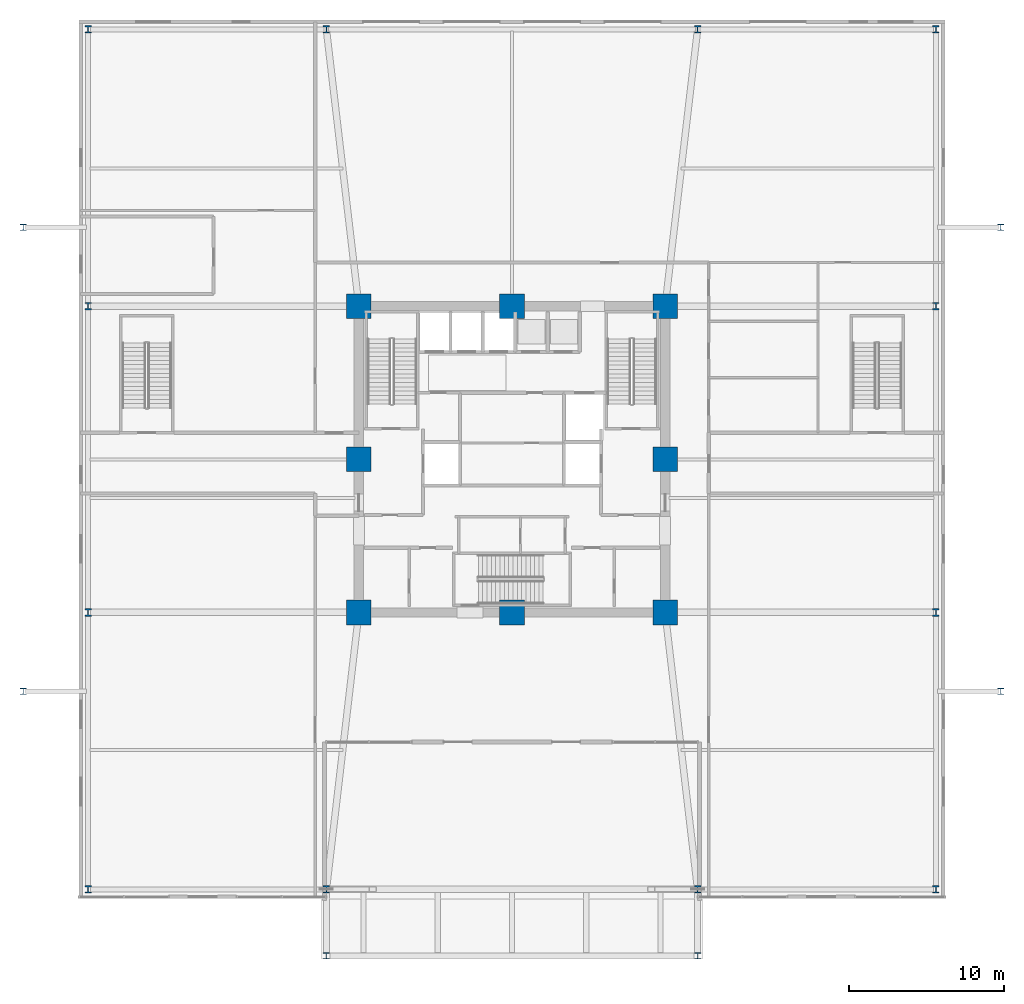
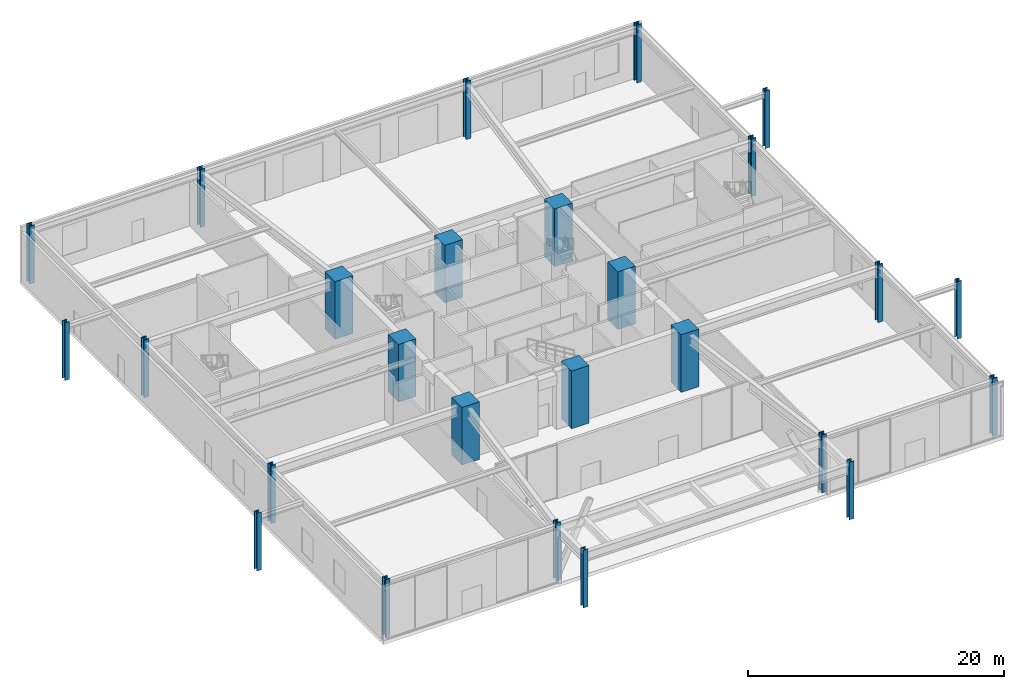
# One storey, part 1 of 24: 26 columns.
"""IFC4 building model written with IfcOpenShell, lengths in metres."""

import ifcopenshell
import ifcopenshell.guid

model = None  # the IFC model being written
_history = None  # IfcOwnerHistory: only IFC2X3 demands one
_inside = {}  # id of a spatial element -> (the spatial element, [elements in it])
_under = {}  # id of a project, library or spatial element -> (it, [spatial elements below it])
_declared = {}  # id of a project -> (the project, [libraries it declares])
_typed = {}  # id of a type object -> (the type object, [elements of that type])
_made_of = {}  # id of a material, layer set ... -> (it, [elements and type objects made of it])


def new_model(schema):
    """Start an empty IFC model of exactly this schema.

    Asked for "IFC4X3", IfcOpenShell would pick the latest addendum, in which some entities
    have other attributes; the version numbers below select the first issue.
    IFC2X3 requires an IfcOwnerHistory on every rooted entity: one is made here for all.
    """
    global model, _history
    if schema == "IFC4X3":
        model = ifcopenshell.file(schema_version=(4, 3, 0, 0))
    else:
        model = ifcopenshell.file(schema=schema)
    _inside.clear()
    _under.clear()
    _declared.clear()
    _typed.clear()
    _made_of.clear()
    _history = None
    if model.schema == "IFC2X3":
        org = make("IfcOrganization", Name="unknown")
        user = make(
            "IfcPersonAndOrganization",
            ThePerson=make("IfcPerson", FamilyName="unknown"),
            TheOrganization=org,
        )
        app = make(
            "IfcApplication",
            ApplicationDeveloper=org,
            Version="unknown",
            ApplicationFullName="unknown",
            ApplicationIdentifier="unknown",
        )
        _history = make(
            "IfcOwnerHistory",
            OwningUser=user,
            OwningApplication=app,
            ChangeAction="ADDED",
            CreationDate=0,
        )
    return model


def make(cls, **values):
    """One entity of the class cls with the attributes given. An attribute that is None is left unset."""
    return model.create_entity(
        cls, **{name: value for name, value in values.items() if value is not None}
    )


def rooted(cls, **values):
    """An entity with a GlobalId (a new one), such as an element, a storey or a relation."""
    return make(cls, GlobalId=ifcopenshell.guid.new(), OwnerHistory=_history, **values)


def si_unit(unit_type, name, prefix=None):
    """IfcSIUnit, for example si_unit("LENGTHUNIT", "METRE", prefix="MILLI")."""
    return make("IfcSIUnit", UnitType=unit_type, Prefix=prefix, Name=name)


def assignment(units):
    """IfcUnitAssignment: the units of a project."""
    return None if units is None else make("IfcUnitAssignment", Units=units)


def point(xyz):
    """IfcCartesianPoint."""
    return None if xyz is None else make("IfcCartesianPoint", Coordinates=xyz)


def direction(xyz):
    """IfcDirection."""
    return None if xyz is None else make("IfcDirection", DirectionRatios=xyz)


def frame(location, z_axis=None, x_axis=None):
    """IfcAxis2Placement3D, a coordinate frame: its origin and axes. An axis left out is left unset."""
    return make(
        "IfcAxis2Placement3D",
        Location=point(location),
        Axis=direction(z_axis),
        RefDirection=direction(x_axis),
    )


def frame_2d(location, x_axis=None):
    """IfcAxis2Placement2D, a coordinate frame in the plane: its origin and x axis."""
    return make(
        "IfcAxis2Placement2D", Location=point(location), RefDirection=direction(x_axis)
    )


def origin():
    """The frame at (0, 0, 0) with its axes left unset."""
    return frame((0.0, 0.0, 0.0))


def origin_2d():
    """The frame at (0, 0) in the plane with its x axis left unset."""
    return frame_2d((0.0, 0.0))


def place(relative_to, where):
    """IfcLocalPlacement: puts the frame where relative to a parent placement (None: the world)."""
    return make(
        "IfcLocalPlacement", PlacementRelTo=relative_to, RelativePlacement=where
    )


def context(
    kind, dimensions, precision=None, world=None, true_north=None, identifier=None
):
    """IfcGeometricRepresentationContext, for example the 3D "Model" context."""
    return make(
        "IfcGeometricRepresentationContext",
        ContextIdentifier=identifier,
        ContextType=kind,
        CoordinateSpaceDimension=dimensions,
        Precision=precision,
        WorldCoordinateSystem=world,
        TrueNorth=true_north,
    )


def subcontext(parent, identifier, kind, view, scale=None):
    """IfcGeometricRepresentationSubContext, for example "Body" below "Model"."""
    return make(
        "IfcGeometricRepresentationSubContext",
        ContextIdentifier=identifier,
        ContextType=kind,
        ParentContext=parent,
        TargetScale=scale,
        TargetView=view,
    )


def project(units=None, contexts=None):
    """IfcProject with its units and contexts."""
    return rooted(
        "IfcProject",
        Name="project",
        RepresentationContexts=contexts,
        UnitsInContext=assignment(units),
    )


def spatial(cls, under=None, at=None, **own):
    """A site, building, storey or space (cls), placed at a placement, below another one or the project."""
    s = rooted(cls, ObjectPlacement=at, **own)
    if under is not None:
        _under.setdefault(under.id(), (under, []))[1].append(s)
    return s


def profile(cls, at=None, kind="AREA", **sizes):
    """A parametric profile (cls). Its sizes go by their IFC names, for example OverallWidth=200.0."""
    return make(cls, ProfileType=kind, Position=at, **sizes)


def rectangle(**sizes):
    """IfcRectangleProfileDef."""
    return profile("IfcRectangleProfileDef", **sizes)


def i_section(**sizes):
    """IfcIShapeProfileDef."""
    return profile("IfcIShapeProfileDef", **sizes)


def extrude(swept, where, along, depth):
    """IfcExtrudedAreaSolid: the profile swept, set in the frame where, extruded along a direction by depth."""
    return make(
        "IfcExtrudedAreaSolid",
        SweptArea=swept,
        Position=where,
        ExtrudedDirection=direction(along),
        Depth=depth,
    )


def shape(context_of_items, identifier, shape_type, items):
    """IfcShapeRepresentation: the items that make up one representation, for example the "Body"."""
    return make(
        "IfcShapeRepresentation",
        ContextOfItems=context_of_items,
        RepresentationIdentifier=identifier,
        RepresentationType=shape_type,
        Items=items,
    )


def material(Name=None, Category=None):
    """IfcMaterial."""
    return make("IfcMaterial", Name=Name, Category=Category)


def material_profile(
    of_material, cross_section, Name=None, Category=None, Priority=None
):
    """IfcMaterialProfile: a cross section and its material."""
    return make(
        "IfcMaterialProfile",
        Name=Name,
        Material=of_material,
        Profile=cross_section,
        Priority=Priority,
        Category=Category,
    )


def profile_set(profiles, Name=None, composite=None):
    """IfcMaterialProfileSet."""
    return make(
        "IfcMaterialProfileSet",
        Name=Name,
        MaterialProfiles=profiles,
        CompositeProfile=composite,
    )


def made_of(thing, what):
    """Note that an element or type object is made of a material, layer set ...; save() writes the relation."""
    if what is not None:
        _made_of.setdefault(what.id(), (what, []))[1].append(thing)
    return thing


def type_object(cls, material=None, **own):
    """A type object (cls), such as IfcWallType, which elements share."""
    return made_of(rooted(cls, **own), material)


def element(
    cls,
    number,
    at=None,
    inside=None,
    cuts=None,
    type_object=None,
    material=None,
    context=None,
    identifier="Body",
    shape_type=None,
    held_by="IfcProductDefinitionShape",
    body=None,
    shapes=None,
    **own,
):
    """One element of the class cls, such as IfcWall. Its Tag is "e" and its number.

    at: its placement. inside: the storey or other place that contains it. cuts: it is an
    opening in that element (IfcRelVoidsElement). A single representation is given by context,
    identifier, shape_type and body (its items); several are given by shapes. held_by: the class
    of the entity that holds the representations. save() writes the other relations.
    """
    e = rooted(cls, Tag="e%d" % number, ObjectPlacement=at, **own)
    if body is not None:
        shapes = [shape(context, identifier, shape_type, body)]
    if shapes is not None:
        e.Representation = make(held_by, Representations=shapes)
    if inside is not None:
        _inside.setdefault(inside.id(), (inside, []))[1].append(e)
    if cuts is not None:
        rooted(
            "IfcRelVoidsElement", RelatingBuildingElement=cuts, RelatedOpeningElement=e
        )
    if type_object is not None:
        _typed.setdefault(type_object.id(), (type_object, []))[1].append(e)
    return made_of(e, material)


def aggregate(whole, parts):
    """IfcRelAggregates: a whole, such as a stair, and the parts it consists of."""
    return rooted("IfcRelAggregates", RelatingObject=whole, RelatedObjects=parts)


def save(model, path):
    """Write the relations noted so far, then the file.

    IfcRelAggregates (storeys below a building ...), IfcRelContainedInSpatialStructure (elements
    in a storey), IfcRelDefinesByType, IfcRelAssociatesMaterial and IfcRelDeclares: one each for
    every whole, place, type object, material and project.
    """
    for whole, parts in _under.values():
        aggregate(whole, parts)
    for where, things in _inside.values():
        rooted(
            "IfcRelContainedInSpatialStructure",
            RelatedElements=things,
            RelatingStructure=where,
        )
    for kind, things in _typed.values():
        rooted("IfcRelDefinesByType", RelatedObjects=things, RelatingType=kind)
    for what, things in _made_of.values():
        rooted("IfcRelAssociatesMaterial", RelatedObjects=things, RelatingMaterial=what)
    for by, libraries in _declared.values():
        rooted("IfcRelDeclares", RelatingContext=by, RelatedDefinitions=libraries)
    model.write(path)


model = new_model("IFC4")

# Units and contexts
model_context = context("Model", 3, precision=1e-05, world=origin(), true_north=direction((0.0, 1.0)))
body_context = subcontext(model_context, "Body", "Model", "MODEL_VIEW")
ifc_project = project(units=[si_unit("LENGTHUNIT", "METRE"), si_unit("AREAUNIT", "SQUARE_METRE"), si_unit("VOLUMEUNIT", "CUBIC_METRE"), si_unit("PLANEANGLEUNIT", "RADIAN"), si_unit("MASSUNIT", "GRAM", prefix="KILO")], contexts=[model_context])

# Site, building, storey
site_placement = place(None, origin())
site = spatial("IfcSite", under=ifc_project, at=site_placement, CompositionType="ELEMENT")
building_placement = place(site_placement, origin())
building = spatial("IfcBuilding", under=site, at=building_placement, Name="Kolvaren Belvedere", CompositionType="ELEMENT")
storey_placement = place(building_placement, origin())
storey = spatial("IfcBuildingStorey", under=building, at=storey_placement, Name="L01", CompositionType="ELEMENT", Elevation=0.0)

# Columns
ifc_material_1 = material(Name="Concrete C60/75", Category="concrete")
ifc_material_profile_1 = material_profile(ifc_material_1, rectangle(XDim=1.60009765625, YDim=1.60009765625, at=origin_2d()), Name="RC 1600X1600")
ifc_profile_set_1 = profile_set([ifc_material_profile_1], Name="Concrete C60/75")
column_type_1 = type_object("IfcColumnType", Name="COL-RC-1600", PredefinedType="COLUMN", material=ifc_profile_set_1)
for number, where, z_axis, x_axis, name in (
    (1, (-9.89990234375, -9.89990234375, 0.0), (0.0, 0.0, 1.0), (1.0, 0.0, 0.0), "L01 Core Column CC1"),
    (2, (9.89990234375, -9.89990234375, 0.0), (0.0, 0.0, 1.0), (1.0, 0.0, 0.0), "L01 Core Column CC2"),
    (3, (9.89990234375, 9.89990234375, 0.0), (0.0, 0.0, 1.0), (1.0, 0.0, 0.0), "L01 Core Column CC3"),
    (4, (-9.89990234375, 9.89990234375, 0.0), (0.0, 0.0, 1.0), (1.0, 0.0, 0.0), "L01 Core Column CC4"),
    (5, (0.0, -9.89990234375, 0.0), (0.0, 0.0, 1.0), (1.0, 0.0, 0.0), "L01 Core Column CM1"),
    (6, (9.89990234375, 0.0, 0.0), (0.0, 0.0, 1.0), (1.0, 0.0, 0.0), "L01 Core Column CM2"),
    (7, (0.0, 9.89990234375, 0.0), (0.0, 0.0, 1.0), (1.0, 0.0, 0.0), "L01 Core Column CM3"),
    (8, (-9.89990234375, 0.0, 0.0), (0.0, 0.0, 1.0), (1.0, 0.0, 0.0), "L01 Core Column CM4"),
):
    element("IfcColumn", number, at=place(storey_placement, frame(where, z_axis=z_axis, x_axis=x_axis)), inside=storey, type_object=column_type_1, Name=name, PredefinedType="COLUMN", context=body_context, shape_type="SweptSolid", body=[
        extrude(rectangle(XDim=1.60009765625, YDim=1.60009765625, at=origin_2d()), origin(), (0.0, 0.0, 1.0), 5.5),
    ])
ifc_material_2 = material(Name="Structural steel ASTM A992 Grade 50", Category="steel")
ifc_material_profile_2 = material_profile(ifc_material_2, i_section(OverallWidth=0.412109375, OverallDepth=0.43505859375, WebThickness=0.035888671875, FlangeThickness=0.057373046875, FilletRadius=0.02490234375, at=origin_2d()), Name="W14X311")
ifc_profile_set_2 = profile_set([ifc_material_profile_2], Name="Structural steel ASTM A992 Grade 50")
column_type_2 = type_object("IfcColumnType", Name="COL-ST-W14X311", PredefinedType="COLUMN", material=ifc_profile_set_2)
for number, where, z_axis, x_axis, name in (
    (9, (-31.60009765625, 15.0, 0.0), (0.0, 0.0, 1.0), (1.0, 0.0, 0.0), "L01 Forecourt Canopy Column PAD-NW"),
    (10, (-31.60009765625, -15.0, 0.0), (0.0, 0.0, 1.0), (1.0, 0.0, 0.0), "L01 Forecourt Canopy Column PAD-SW"),
    (11, (31.60009765625, 15.0, 0.0), (0.0, 0.0, 1.0), (1.0, 0.0, 0.0), "L01 Forecourt Canopy Column PAD-NE"),
    (12, (31.60009765625, -15.0, 0.0), (0.0, 0.0, 1.0), (1.0, 0.0, 0.0), "L01 Forecourt Canopy Column PAD-SE"),
    (13, (-12.0, -32.10009765625, 0.0), (0.0, 0.0, 1.0), (1.0, 0.0, 0.0), "L01 Forecourt Canopy Column PAD-S1"),
    (14, (12.0, -32.10009765625, 0.0), (0.0, 0.0, 1.0), (1.0, 0.0, 0.0), "L01 Forecourt Canopy Column PAD-S2"),
):
    element("IfcColumn", number, at=place(storey_placement, frame(where, z_axis=z_axis, x_axis=x_axis)), inside=storey, type_object=column_type_2, Name=name, PredefinedType="COLUMN", context=body_context, shape_type="SweptSolid", body=[
        extrude(i_section(OverallWidth=0.412109375, OverallDepth=0.43505859375, WebThickness=0.035888671875, FlangeThickness=0.057373046875, FilletRadius=0.02490234375, at=origin_2d()), origin(), (0.0, 0.0, 1.0), 5.5),
    ])
ifc_material_3 = material(Name="Structural steel ASTM A992 Grade 50", Category="steel")
ifc_material_profile_3 = material_profile(ifc_material_3, i_section(OverallWidth=0.431884765625, OverallDepth=0.498046875, WebThickness=0.0556640625, FlangeThickness=0.0888671875, FilletRadius=0.02490234375, at=origin_2d()), Name="W14X500")
ifc_profile_set_3 = profile_set([ifc_material_profile_3], Name="Structural steel ASTM A992 Grade 50")
column_type_3 = type_object("IfcColumnType", Name="COL-ST-W14X500", PredefinedType="COLUMN", material=ifc_profile_set_3)
for number, where, z_axis, x_axis, name in (
    (15, (-27.39990234375, -27.800048828125, 0.0), (0.0, 0.0, 1.0), (1.0, 0.0, 0.0), "L01 Podium Mega-Column PA1"),
    (16, (-12.0, -27.800048828125, 0.0), (0.0, 0.0, 1.0), (1.0, 0.0, 0.0), "L01 Podium Mega-Column PA2"),
    (17, (12.0, -27.800048828125, 0.0), (0.0, 0.0, 1.0), (1.0, 0.0, 0.0), "L01 Podium Mega-Column PA3"),
    (18, (27.39990234375, -27.800048828125, 0.0), (0.0, 0.0, 1.0), (1.0, 0.0, 0.0), "L01 Podium Mega-Column PA4"),
    (19, (-27.39990234375, -9.89990234375, 0.0), (0.0, 0.0, 1.0), (1.0, 0.0, 0.0), "L01 Podium Mega-Column PB1"),
    (20, (27.39990234375, -9.89990234375, 0.0), (0.0, 0.0, 1.0), (1.0, 0.0, 0.0), "L01 Podium Mega-Column PB4"),
    (21, (-27.39990234375, 9.89990234375, 0.0), (0.0, 0.0, 1.0), (1.0, 0.0, 0.0), "L01 Podium Mega-Column PC1"),
    (22, (27.39990234375, 9.89990234375, 0.0), (0.0, 0.0, 1.0), (1.0, 0.0, 0.0), "L01 Podium Mega-Column PC4"),
    (23, (-27.39990234375, 27.800048828125, 0.0), (0.0, 0.0, 1.0), (1.0, 0.0, 0.0), "L01 Podium Mega-Column PD1"),
    (24, (-12.0, 27.800048828125, 0.0), (0.0, 0.0, 1.0), (1.0, 0.0, 0.0), "L01 Podium Mega-Column PD2"),
    (25, (12.0, 27.800048828125, 0.0), (0.0, 0.0, 1.0), (1.0, 0.0, 0.0), "L01 Podium Mega-Column PD3"),
    (26, (27.39990234375, 27.800048828125, 0.0), (0.0, 0.0, 1.0), (1.0, 0.0, 0.0), "L01 Podium Mega-Column PD4"),
):
    element("IfcColumn", number, at=place(storey_placement, frame(where, z_axis=z_axis, x_axis=x_axis)), inside=storey, type_object=column_type_3, Name=name, PredefinedType="COLUMN", context=body_context, shape_type="SweptSolid", body=[
        extrude(i_section(OverallWidth=0.431884765625, OverallDepth=0.498046875, WebThickness=0.0556640625, FlangeThickness=0.0888671875, FilletRadius=0.02490234375, at=origin_2d()), origin(), (0.0, 0.0, 1.0), 5.5),
    ])

save(model, "model.ifc")
